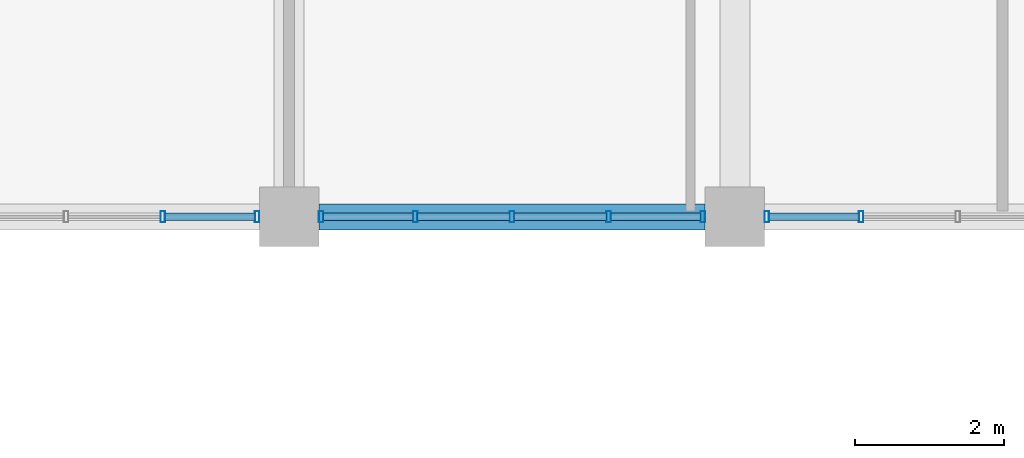
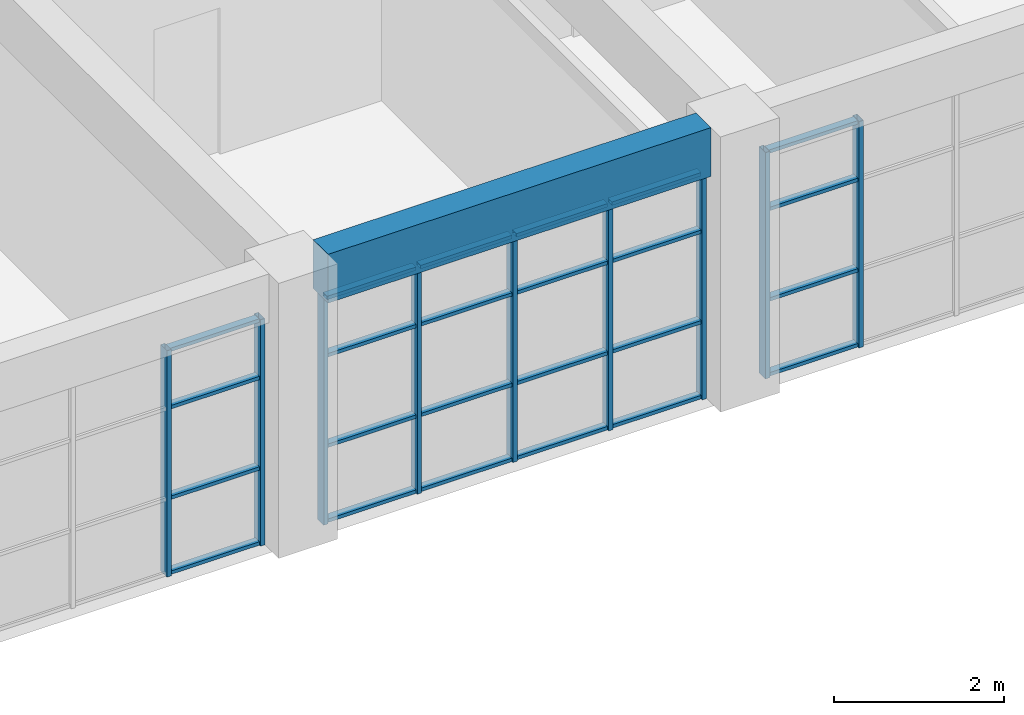
# One storey, part 13 of 51: 33 members, 1 beam, 3 elements without a shape of their own.
"""IFC4 building model written with IfcOpenShell, lengths in metres."""

from ifc_helpers import new_model, si_unit, direction, frame, origin, origin_2d, place, context, subcontext, project, spatial, rectangle, hollow_rectangle, extrude, material, material_profile, profile_set, type_object, element, aggregate, save


model = new_model("IFC4")

# Units and contexts
model_context = context("Model", 3, precision=1e-05, world=origin(), true_north=direction((0.0, 1.0)))
body_context = subcontext(model_context, "Body", "Model", "MODEL_VIEW")
ifc_project = project(units=[si_unit("LENGTHUNIT", "METRE"), si_unit("AREAUNIT", "SQUARE_METRE"), si_unit("VOLUMEUNIT", "CUBIC_METRE"), si_unit("PLANEANGLEUNIT", "RADIAN"), si_unit("MASSUNIT", "GRAM", prefix="KILO")], contexts=[model_context])

# Site, building, storey
site_placement = place(None, origin())
site = spatial("IfcSite", under=ifc_project, at=site_placement, CompositionType="ELEMENT")
building_placement = place(site_placement, origin())
building = spatial("IfcBuilding", under=site, at=building_placement, Name="Laocheng Heights Fire and Rescue Headquarters", CompositionType="ELEMENT")
storey_placement = place(building_placement, frame((0.0, 0.0, 21.0)))
storey = spatial("IfcBuildingStorey", under=building, at=storey_placement, Name="L05", CompositionType="ELEMENT", Elevation=21.0)

# Curtain wall, members
ifc_material_1 = material(Name="Dark anodised aluminium unitised curtain wall, low-e double glazing", Category="aluminium")
curtain_wall_type = type_object("IfcCurtainWallType", Name="CW 5200 x 3250 HQ SOUTH RIBBON", PredefinedType="NOTDEFINED", material=ifc_material_1)
curtain_wall_1_placement = place(storey_placement, origin())
curtain_wall_1 = element("IfcCurtainWall", 1, at=curtain_wall_1_placement, inside=storey, type_object=curtain_wall_type, Name="X16-X HQ SOUTH L05", PredefinedType="NOTDEFINED")
ifc_material_2 = material(Name="Dark anodised aluminium 6063-T5 extrusion", Category="aluminium")
ifc_material_profile_1 = material_profile(ifc_material_2, hollow_rectangle(XDim=0.14990234375, YDim=0.06005859375, WallThickness=0.0029296875, at=origin_2d()), Name="AL MULLION 150x60x3 HQ SOUTH RIBBON")
ifc_profile_set_1 = profile_set([ifc_material_profile_1], Name="Dark anodised aluminium 6063-T5 extrusion")
member_type_1 = type_object("IfcMemberType", Name="AL MULLION 150x60x3 HQ SOUTH RIBBON", PredefinedType="MULLION", material=ifc_profile_set_1)
member_1_placement = place(storey_placement, frame((64.300048828125, 50.39990234375, 0.0), z_axis=(0.0, 0.0, 1.0), x_axis=(0.0, 1.0, 0.0)))
member_1 = element("IfcMember", 2, at=member_1_placement, type_object=member_type_1, Name="X16-X mullion 4", PredefinedType="MULLION", context=body_context, shape_type="SweptSolid", body=[
    extrude(hollow_rectangle(XDim=0.14990234375, YDim=0.06005859375, WallThickness=0.0029296875, at=origin_2d()), origin(), (0.0, 0.0, 1.0), 3.25),
])
member_2_placement = place(storey_placement, frame((65.570068359375, 50.39990234375, 0.0), z_axis=(0.0, 0.0, 1.0), x_axis=(0.0, 1.0, 0.0)))
member_2 = element("IfcMember", 3, at=member_2_placement, type_object=member_type_1, Name="X16-X mullion 5", PredefinedType="MULLION", context=body_context, shape_type="SweptSolid", body=[
    extrude(hollow_rectangle(XDim=0.14990234375, YDim=0.06005859375, WallThickness=0.0029296875, at=origin_2d()), origin(), (0.0, 0.0, 1.0), 3.25),
])

curtain_wall_2_placement = place(storey_placement, origin())
curtain_wall_2 = element("IfcCurtainWall", 4, at=curtain_wall_2_placement, inside=storey, type_object=curtain_wall_type, Name="X16-X HQ SOUTH L05", PredefinedType="NOTDEFINED")
member_3_placement = place(storey_placement, frame((66.429931640625, 50.39990234375, 0.0), z_axis=(0.0, 0.0, 1.0), x_axis=(0.0, 1.0, 0.0)))
member_3 = element("IfcMember", 5, at=member_3_placement, type_object=member_type_1, Name="X16-X mullion 1", PredefinedType="MULLION", context=body_context, shape_type="SweptSolid", body=[
    extrude(hollow_rectangle(XDim=0.14990234375, YDim=0.06005859375, WallThickness=0.0029296875, at=origin_2d()), origin(), (0.0, 0.0, 1.0), 3.25),
])
member_4_placement = place(storey_placement, frame((67.699951171875, 50.39990234375, 0.0), z_axis=(0.0, 0.0, 1.0), x_axis=(0.0, 1.0, 0.0)))
member_4 = element("IfcMember", 6, at=member_4_placement, type_object=member_type_1, Name="X16-X mullion 2", PredefinedType="MULLION", context=body_context, shape_type="SweptSolid", body=[
    extrude(hollow_rectangle(XDim=0.14990234375, YDim=0.06005859375, WallThickness=0.0029296875, at=origin_2d()), origin(), (0.0, 0.0, 1.0), 3.25),
])
member_5_placement = place(storey_placement, frame((69.0, 50.39990234375, 0.0), z_axis=(0.0, 0.0, 1.0), x_axis=(0.0, 1.0, 0.0)))
member_5 = element("IfcMember", 7, at=member_5_placement, type_object=member_type_1, Name="X16-X mullion 3", PredefinedType="MULLION", context=body_context, shape_type="SweptSolid", body=[
    extrude(hollow_rectangle(XDim=0.14990234375, YDim=0.06005859375, WallThickness=0.0029296875, at=origin_2d()), origin(), (0.0, 0.0, 1.0), 3.25),
])
member_6_placement = place(storey_placement, frame((70.300048828125, 50.39990234375, 0.0), z_axis=(0.0, 0.0, 1.0), x_axis=(0.0, 1.0, 0.0)))
member_6 = element("IfcMember", 8, at=member_6_placement, type_object=member_type_1, Name="X16-X mullion 4", PredefinedType="MULLION", context=body_context, shape_type="SweptSolid", body=[
    extrude(hollow_rectangle(XDim=0.14990234375, YDim=0.06005859375, WallThickness=0.0029296875, at=origin_2d()), origin(), (0.0, 0.0, 1.0), 3.25),
])
member_7_placement = place(storey_placement, frame((71.570068359375, 50.39990234375, 0.0), z_axis=(0.0, 0.0, 1.0), x_axis=(0.0, 1.0, 0.0)))
member_7 = element("IfcMember", 9, at=member_7_placement, type_object=member_type_1, Name="X16-X mullion 5", PredefinedType="MULLION", context=body_context, shape_type="SweptSolid", body=[
    extrude(hollow_rectangle(XDim=0.14990234375, YDim=0.06005859375, WallThickness=0.0029296875, at=origin_2d()), origin(), (0.0, 0.0, 1.0), 3.25),
])

curtain_wall_3_placement = place(storey_placement, origin())
curtain_wall_3 = element("IfcCurtainWall", 10, at=curtain_wall_3_placement, inside=storey, type_object=curtain_wall_type, Name="X16-X HQ SOUTH L05", PredefinedType="NOTDEFINED")
member_8_placement = place(storey_placement, frame((72.429931640625, 50.39990234375, 0.0), z_axis=(0.0, 0.0, 1.0), x_axis=(0.0, 1.0, 0.0)))
member_8 = element("IfcMember", 11, at=member_8_placement, type_object=member_type_1, Name="X16-X mullion 1", PredefinedType="MULLION", context=body_context, shape_type="SweptSolid", body=[
    extrude(hollow_rectangle(XDim=0.14990234375, YDim=0.06005859375, WallThickness=0.0029296875, at=origin_2d()), origin(), (0.0, 0.0, 1.0), 3.25),
])
member_9_placement = place(storey_placement, frame((73.699951171875, 50.39990234375, 0.0), z_axis=(0.0, 0.0, 1.0), x_axis=(0.0, 1.0, 0.0)))
member_9 = element("IfcMember", 12, at=member_9_placement, type_object=member_type_1, Name="X16-X mullion 2", PredefinedType="MULLION", context=body_context, shape_type="SweptSolid", body=[
    extrude(hollow_rectangle(XDim=0.14990234375, YDim=0.06005859375, WallThickness=0.0029296875, at=origin_2d()), origin(), (0.0, 0.0, 1.0), 3.25),
])

# Member
ifc_material_3 = material(Name="Dark anodised aluminium 6063-T5 extrusion", Category="aluminium")
ifc_material_profile_2 = material_profile(ifc_material_3, hollow_rectangle(XDim=0.10009765625, YDim=0.050048828125, WallThickness=0.0029296875, at=origin_2d()), Name="AL TRANSOM 100x50x3 HQ SOUTH RIBBON")
ifc_profile_set_2 = profile_set([ifc_material_profile_2], Name="Dark anodised aluminium 6063-T5 extrusion")
member_type_2 = type_object("IfcMemberType", Name="AL TRANSOM 100x50x3 HQ SOUTH RIBBON", PredefinedType="USERDEFINED", material=ifc_profile_set_2)
member_10_placement = place(storey_placement, frame((64.330078125, 50.39990234375, 0.02490234375), z_axis=(1.0, 0.0, 0.0), x_axis=(0.0, 1.0, 0.0)))
member_10 = element("IfcMember", 13, at=member_10_placement, type_object=member_type_2, Name="X16-X transom 4.1", ObjectType="TRANSOM", PredefinedType="USERDEFINED", context=body_context, shape_type="SweptSolid", body=[
    extrude(hollow_rectangle(XDim=0.10009765625, YDim=0.050048828125, WallThickness=0.0029296875, at=origin_2d()), origin(), (0.0, 0.0, 1.0), 1.2099609375),
])

member_11_placement = place(storey_placement, frame((64.330078125, 50.39990234375, 1.10009765625), z_axis=(1.0, 0.0, 0.0), x_axis=(0.0, 1.0, 0.0)))
member_11 = element("IfcMember", 14, at=member_11_placement, type_object=member_type_2, Name="X16-X transom 4.2", ObjectType="TRANSOM", PredefinedType="USERDEFINED", context=body_context, shape_type="SweptSolid", body=[
    extrude(hollow_rectangle(XDim=0.10009765625, YDim=0.050048828125, WallThickness=0.0029296875, at=origin_2d()), origin(), (0.0, 0.0, 1.0), 1.2099609375),
])

member_12_placement = place(storey_placement, frame((64.330078125, 50.39990234375, 2.39990234375), z_axis=(1.0, 0.0, 0.0), x_axis=(0.0, 1.0, 0.0)))
member_12 = element("IfcMember", 15, at=member_12_placement, type_object=member_type_2, Name="X16-X transom 4.3", ObjectType="TRANSOM", PredefinedType="USERDEFINED", context=body_context, shape_type="SweptSolid", body=[
    extrude(hollow_rectangle(XDim=0.10009765625, YDim=0.050048828125, WallThickness=0.0029296875, at=origin_2d()), origin(), (0.0, 0.0, 1.0), 1.2099609375),
])

member_13_placement = place(storey_placement, frame((64.330078125, 50.39990234375, 3.22509765625), z_axis=(1.0, 0.0, 0.0), x_axis=(0.0, 1.0, 0.0)))
member_13 = element("IfcMember", 16, at=member_13_placement, type_object=member_type_2, Name="X16-X transom 4.4", ObjectType="TRANSOM", PredefinedType="USERDEFINED", context=body_context, shape_type="SweptSolid", body=[
    extrude(hollow_rectangle(XDim=0.10009765625, YDim=0.050048828125, WallThickness=0.0029296875, at=origin_2d()), origin(), (0.0, 0.0, 1.0), 1.2099609375),
])

aggregate(curtain_wall_1, [member_1, member_2, member_10, member_11, member_12, member_13])

member_14_placement = place(storey_placement, frame((66.4599609375, 50.39990234375, 0.02490234375), z_axis=(1.0, 0.0, 0.0), x_axis=(0.0, 1.0, 0.0)))
member_14 = element("IfcMember", 17, at=member_14_placement, type_object=member_type_2, Name="X16-X transom 1.1", ObjectType="TRANSOM", PredefinedType="USERDEFINED", context=body_context, shape_type="SweptSolid", body=[
    extrude(hollow_rectangle(XDim=0.10009765625, YDim=0.050048828125, WallThickness=0.0029296875, at=origin_2d()), origin(), (0.0, 0.0, 1.0), 1.2099609375),
])

member_15_placement = place(storey_placement, frame((66.4599609375, 50.39990234375, 1.10009765625), z_axis=(1.0, 0.0, 0.0), x_axis=(0.0, 1.0, 0.0)))
member_15 = element("IfcMember", 18, at=member_15_placement, type_object=member_type_2, Name="X16-X transom 1.2", ObjectType="TRANSOM", PredefinedType="USERDEFINED", context=body_context, shape_type="SweptSolid", body=[
    extrude(hollow_rectangle(XDim=0.10009765625, YDim=0.050048828125, WallThickness=0.0029296875, at=origin_2d()), origin(), (0.0, 0.0, 1.0), 1.2099609375),
])

member_16_placement = place(storey_placement, frame((66.4599609375, 50.39990234375, 2.39990234375), z_axis=(1.0, 0.0, 0.0), x_axis=(0.0, 1.0, 0.0)))
member_16 = element("IfcMember", 19, at=member_16_placement, type_object=member_type_2, Name="X16-X transom 1.3", ObjectType="TRANSOM", PredefinedType="USERDEFINED", context=body_context, shape_type="SweptSolid", body=[
    extrude(hollow_rectangle(XDim=0.10009765625, YDim=0.050048828125, WallThickness=0.0029296875, at=origin_2d()), origin(), (0.0, 0.0, 1.0), 1.2099609375),
])

member_17_placement = place(storey_placement, frame((66.4599609375, 50.39990234375, 3.22509765625), z_axis=(1.0, 0.0, 0.0), x_axis=(0.0, 1.0, 0.0)))
member_17 = element("IfcMember", 20, at=member_17_placement, type_object=member_type_2, Name="X16-X transom 1.4", ObjectType="TRANSOM", PredefinedType="USERDEFINED", context=body_context, shape_type="SweptSolid", body=[
    extrude(hollow_rectangle(XDim=0.10009765625, YDim=0.050048828125, WallThickness=0.0029296875, at=origin_2d()), origin(), (0.0, 0.0, 1.0), 1.2099609375),
])

member_18_placement = place(storey_placement, frame((67.72998046875, 50.39990234375, 0.02490234375), z_axis=(1.0, 0.0, 0.0), x_axis=(0.0, 1.0, 0.0)))
member_18 = element("IfcMember", 21, at=member_18_placement, type_object=member_type_2, Name="X16-X transom 2.1", ObjectType="TRANSOM", PredefinedType="USERDEFINED", context=body_context, shape_type="SweptSolid", body=[
    extrude(hollow_rectangle(XDim=0.10009765625, YDim=0.050048828125, WallThickness=0.0029296875, at=origin_2d()), origin(), (0.0, 0.0, 1.0), 1.239990234375),
])

member_19_placement = place(storey_placement, frame((67.72998046875, 50.39990234375, 1.10009765625), z_axis=(1.0, 0.0, 0.0), x_axis=(0.0, 1.0, 0.0)))
member_19 = element("IfcMember", 22, at=member_19_placement, type_object=member_type_2, Name="X16-X transom 2.2", ObjectType="TRANSOM", PredefinedType="USERDEFINED", context=body_context, shape_type="SweptSolid", body=[
    extrude(hollow_rectangle(XDim=0.10009765625, YDim=0.050048828125, WallThickness=0.0029296875, at=origin_2d()), origin(), (0.0, 0.0, 1.0), 1.239990234375),
])

member_20_placement = place(storey_placement, frame((67.72998046875, 50.39990234375, 2.39990234375), z_axis=(1.0, 0.0, 0.0), x_axis=(0.0, 1.0, 0.0)))
member_20 = element("IfcMember", 23, at=member_20_placement, type_object=member_type_2, Name="X16-X transom 2.3", ObjectType="TRANSOM", PredefinedType="USERDEFINED", context=body_context, shape_type="SweptSolid", body=[
    extrude(hollow_rectangle(XDim=0.10009765625, YDim=0.050048828125, WallThickness=0.0029296875, at=origin_2d()), origin(), (0.0, 0.0, 1.0), 1.239990234375),
])

member_21_placement = place(storey_placement, frame((67.72998046875, 50.39990234375, 3.22509765625), z_axis=(1.0, 0.0, 0.0), x_axis=(0.0, 1.0, 0.0)))
member_21 = element("IfcMember", 24, at=member_21_placement, type_object=member_type_2, Name="X16-X transom 2.4", ObjectType="TRANSOM", PredefinedType="USERDEFINED", context=body_context, shape_type="SweptSolid", body=[
    extrude(hollow_rectangle(XDim=0.10009765625, YDim=0.050048828125, WallThickness=0.0029296875, at=origin_2d()), origin(), (0.0, 0.0, 1.0), 1.239990234375),
])

member_22_placement = place(storey_placement, frame((69.030029296875, 50.39990234375, 0.02490234375), z_axis=(1.0, 0.0, 0.0), x_axis=(0.0, 1.0, 0.0)))
member_22 = element("IfcMember", 25, at=member_22_placement, type_object=member_type_2, Name="X16-X transom 3.1", ObjectType="TRANSOM", PredefinedType="USERDEFINED", context=body_context, shape_type="SweptSolid", body=[
    extrude(hollow_rectangle(XDim=0.10009765625, YDim=0.050048828125, WallThickness=0.0029296875, at=origin_2d()), origin(), (0.0, 0.0, 1.0), 1.239990234375),
])

member_23_placement = place(storey_placement, frame((69.030029296875, 50.39990234375, 1.10009765625), z_axis=(1.0, 0.0, 0.0), x_axis=(0.0, 1.0, 0.0)))
member_23 = element("IfcMember", 26, at=member_23_placement, type_object=member_type_2, Name="X16-X transom 3.2", ObjectType="TRANSOM", PredefinedType="USERDEFINED", context=body_context, shape_type="SweptSolid", body=[
    extrude(hollow_rectangle(XDim=0.10009765625, YDim=0.050048828125, WallThickness=0.0029296875, at=origin_2d()), origin(), (0.0, 0.0, 1.0), 1.239990234375),
])

member_24_placement = place(storey_placement, frame((69.030029296875, 50.39990234375, 2.39990234375), z_axis=(1.0, 0.0, 0.0), x_axis=(0.0, 1.0, 0.0)))
member_24 = element("IfcMember", 27, at=member_24_placement, type_object=member_type_2, Name="X16-X transom 3.3", ObjectType="TRANSOM", PredefinedType="USERDEFINED", context=body_context, shape_type="SweptSolid", body=[
    extrude(hollow_rectangle(XDim=0.10009765625, YDim=0.050048828125, WallThickness=0.0029296875, at=origin_2d()), origin(), (0.0, 0.0, 1.0), 1.239990234375),
])

member_25_placement = place(storey_placement, frame((69.030029296875, 50.39990234375, 3.22509765625), z_axis=(1.0, 0.0, 0.0), x_axis=(0.0, 1.0, 0.0)))
member_25 = element("IfcMember", 28, at=member_25_placement, type_object=member_type_2, Name="X16-X transom 3.4", ObjectType="TRANSOM", PredefinedType="USERDEFINED", context=body_context, shape_type="SweptSolid", body=[
    extrude(hollow_rectangle(XDim=0.10009765625, YDim=0.050048828125, WallThickness=0.0029296875, at=origin_2d()), origin(), (0.0, 0.0, 1.0), 1.239990234375),
])

member_26_placement = place(storey_placement, frame((70.330078125, 50.39990234375, 0.02490234375), z_axis=(1.0, 0.0, 0.0), x_axis=(0.0, 1.0, 0.0)))
member_26 = element("IfcMember", 29, at=member_26_placement, type_object=member_type_2, Name="X16-X transom 4.1", ObjectType="TRANSOM", PredefinedType="USERDEFINED", context=body_context, shape_type="SweptSolid", body=[
    extrude(hollow_rectangle(XDim=0.10009765625, YDim=0.050048828125, WallThickness=0.0029296875, at=origin_2d()), origin(), (0.0, 0.0, 1.0), 1.2099609375),
])

member_27_placement = place(storey_placement, frame((70.330078125, 50.39990234375, 1.10009765625), z_axis=(1.0, 0.0, 0.0), x_axis=(0.0, 1.0, 0.0)))
member_27 = element("IfcMember", 30, at=member_27_placement, type_object=member_type_2, Name="X16-X transom 4.2", ObjectType="TRANSOM", PredefinedType="USERDEFINED", context=body_context, shape_type="SweptSolid", body=[
    extrude(hollow_rectangle(XDim=0.10009765625, YDim=0.050048828125, WallThickness=0.0029296875, at=origin_2d()), origin(), (0.0, 0.0, 1.0), 1.2099609375),
])

member_28_placement = place(storey_placement, frame((70.330078125, 50.39990234375, 2.39990234375), z_axis=(1.0, 0.0, 0.0), x_axis=(0.0, 1.0, 0.0)))
member_28 = element("IfcMember", 31, at=member_28_placement, type_object=member_type_2, Name="X16-X transom 4.3", ObjectType="TRANSOM", PredefinedType="USERDEFINED", context=body_context, shape_type="SweptSolid", body=[
    extrude(hollow_rectangle(XDim=0.10009765625, YDim=0.050048828125, WallThickness=0.0029296875, at=origin_2d()), origin(), (0.0, 0.0, 1.0), 1.2099609375),
])

member_29_placement = place(storey_placement, frame((70.330078125, 50.39990234375, 3.22509765625), z_axis=(1.0, 0.0, 0.0), x_axis=(0.0, 1.0, 0.0)))
member_29 = element("IfcMember", 32, at=member_29_placement, type_object=member_type_2, Name="X16-X transom 4.4", ObjectType="TRANSOM", PredefinedType="USERDEFINED", context=body_context, shape_type="SweptSolid", body=[
    extrude(hollow_rectangle(XDim=0.10009765625, YDim=0.050048828125, WallThickness=0.0029296875, at=origin_2d()), origin(), (0.0, 0.0, 1.0), 1.2099609375),
])

aggregate(curtain_wall_2, [member_3, member_4, member_5, member_6, member_7, member_14, member_15, member_16, member_17, member_18, member_19, member_20, member_21, member_22, member_23, member_24, member_25, member_26, member_27, member_28, member_29])

member_30_placement = place(storey_placement, frame((72.4599609375, 50.39990234375, 0.02490234375), z_axis=(1.0, 0.0, 0.0), x_axis=(0.0, 1.0, 0.0)))
member_30 = element("IfcMember", 33, at=member_30_placement, type_object=member_type_2, Name="X16-X transom 1.1", ObjectType="TRANSOM", PredefinedType="USERDEFINED", context=body_context, shape_type="SweptSolid", body=[
    extrude(hollow_rectangle(XDim=0.10009765625, YDim=0.050048828125, WallThickness=0.0029296875, at=origin_2d()), origin(), (0.0, 0.0, 1.0), 1.2099609375),
])

member_31_placement = place(storey_placement, frame((72.4599609375, 50.39990234375, 1.10009765625), z_axis=(1.0, 0.0, 0.0), x_axis=(0.0, 1.0, 0.0)))
member_31 = element("IfcMember", 34, at=member_31_placement, type_object=member_type_2, Name="X16-X transom 1.2", ObjectType="TRANSOM", PredefinedType="USERDEFINED", context=body_context, shape_type="SweptSolid", body=[
    extrude(hollow_rectangle(XDim=0.10009765625, YDim=0.050048828125, WallThickness=0.0029296875, at=origin_2d()), origin(), (0.0, 0.0, 1.0), 1.2099609375),
])

member_32_placement = place(storey_placement, frame((72.4599609375, 50.39990234375, 2.39990234375), z_axis=(1.0, 0.0, 0.0), x_axis=(0.0, 1.0, 0.0)))
member_32 = element("IfcMember", 35, at=member_32_placement, type_object=member_type_2, Name="X16-X transom 1.3", ObjectType="TRANSOM", PredefinedType="USERDEFINED", context=body_context, shape_type="SweptSolid", body=[
    extrude(hollow_rectangle(XDim=0.10009765625, YDim=0.050048828125, WallThickness=0.0029296875, at=origin_2d()), origin(), (0.0, 0.0, 1.0), 1.2099609375),
])

member_33_placement = place(storey_placement, frame((72.4599609375, 50.39990234375, 3.22509765625), z_axis=(1.0, 0.0, 0.0), x_axis=(0.0, 1.0, 0.0)))
member_33 = element("IfcMember", 36, at=member_33_placement, type_object=member_type_2, Name="X16-X transom 1.4", ObjectType="TRANSOM", PredefinedType="USERDEFINED", context=body_context, shape_type="SweptSolid", body=[
    extrude(hollow_rectangle(XDim=0.10009765625, YDim=0.050048828125, WallThickness=0.0029296875, at=origin_2d()), origin(), (0.0, 0.0, 1.0), 1.2099609375),
])

aggregate(curtain_wall_3, [member_8, member_9, member_30, member_31, member_32, member_33])

# Beam
ifc_material_4 = material(Name="Concrete C40", Category="concrete")
ifc_material_profile_3 = material_profile(ifc_material_4, rectangle(XDim=0.35009765625, YDim=0.699951171875, at=origin_2d()), Name="RC BEAM 350x700 HQ ROOF")
ifc_profile_set_3 = profile_set([ifc_material_profile_3], Name="Concrete C40")
beam_type = type_object("IfcBeamType", Name="RC BEAM 350x700 HQ ROOF", PredefinedType="BEAM", material=ifc_profile_set_3)
beam_placement = place(storey_placement, frame((66.39990234375, 50.39990234375, 3.60009765625), z_axis=(1.0, 0.0, 0.0), x_axis=(0.0, 1.0, 0.0)))
element("IfcBeam", 37, at=beam_placement, inside=storey, type_object=beam_type, Name="HQ beam L05", PredefinedType="BEAM", context=body_context, shape_type="SweptSolid", body=[
    extrude(rectangle(XDim=0.35009765625, YDim=0.699951171875, at=origin_2d()), origin(), (0.0, 0.0, 1.0), 5.2001953125),
])

save(model, "model.ifc")
